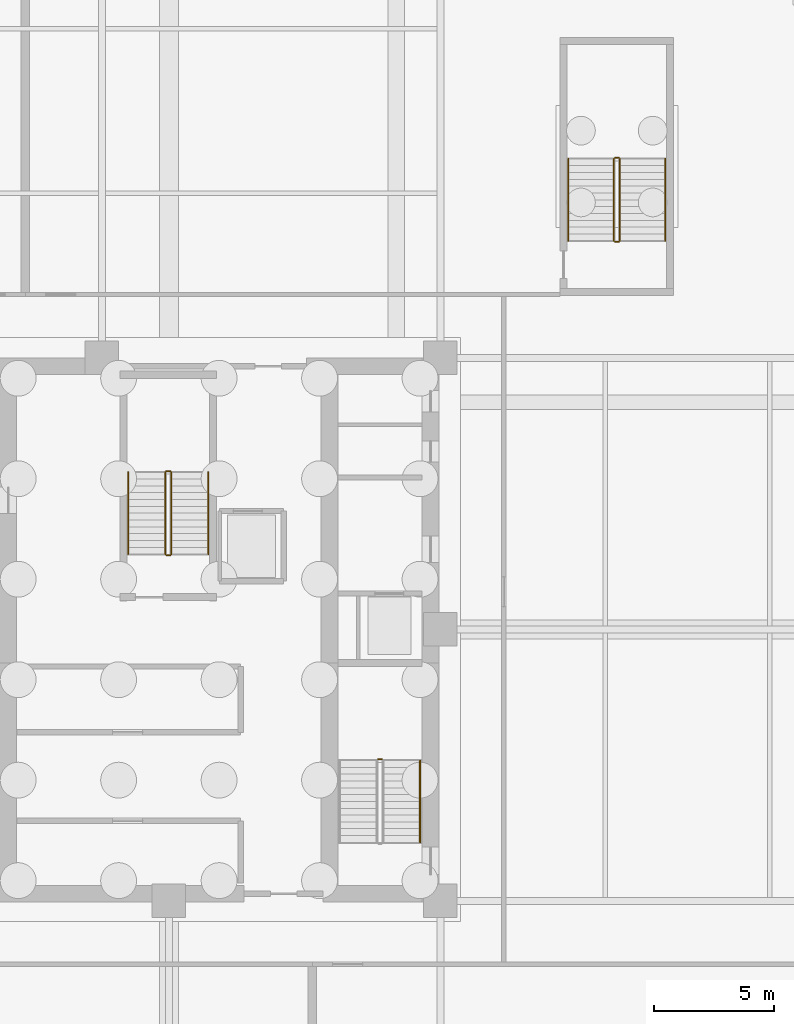
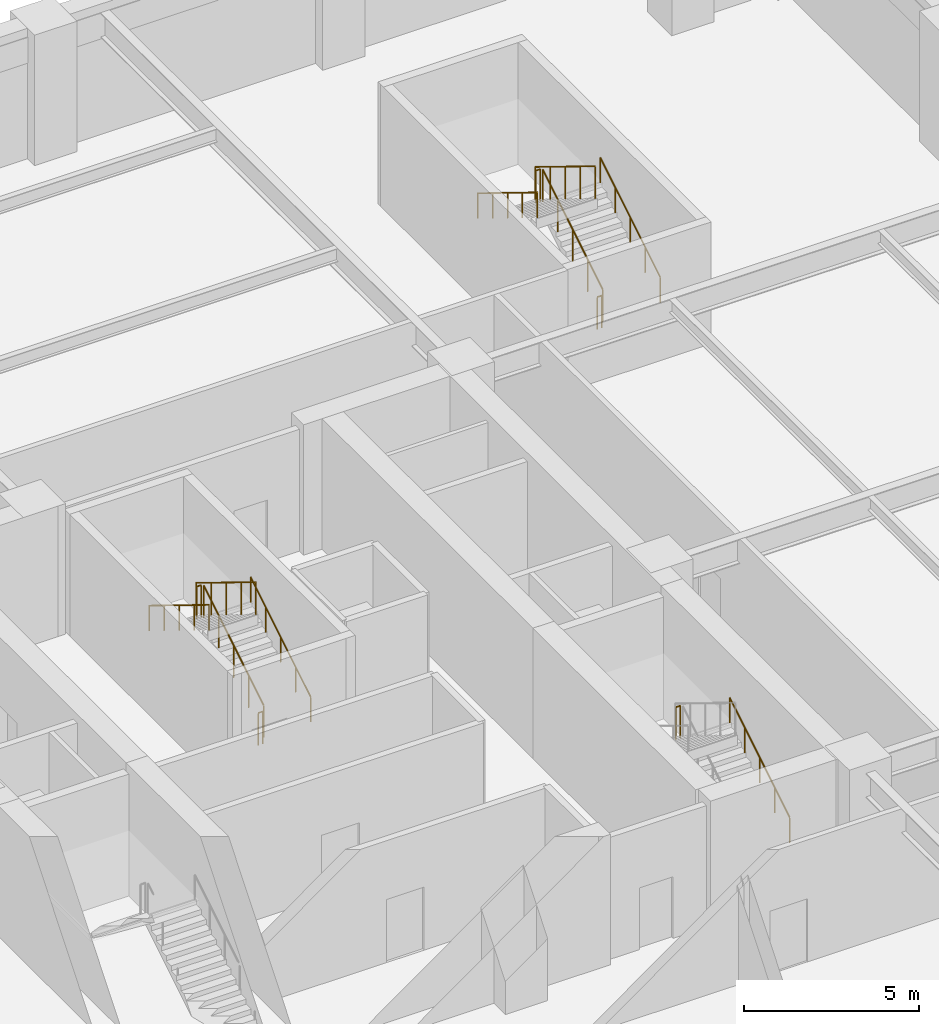
# One storey, part 7 of 8: 14 railings.
"""IFC4 building model written with IfcOpenShell, lengths in metres."""

from ifc_helpers import new_model, si_unit, direction, frame, origin, origin_2d, place, context, subcontext, project, spatial, circle, extrude, material, type_object, element, save


model = new_model("IFC4")

# Units and contexts
model_context = context("Model", 3, precision=1e-05, world=origin(), true_north=direction((0.0, 1.0)))
body_context = subcontext(model_context, "Body", "Model", "MODEL_VIEW")
ifc_project = project(units=[si_unit("LENGTHUNIT", "METRE"), si_unit("AREAUNIT", "SQUARE_METRE"), si_unit("VOLUMEUNIT", "CUBIC_METRE"), si_unit("PLANEANGLEUNIT", "RADIAN"), si_unit("MASSUNIT", "GRAM", prefix="KILO")], contexts=[model_context])

# Site, building, storey
site_placement = place(None, origin())
site = spatial("IfcSite", under=ifc_project, at=site_placement, CompositionType="ELEMENT")
building_placement = place(site_placement, origin())
building = spatial("IfcBuilding", under=site, at=building_placement, Name="Nhamokura Convention Tower", CompositionType="ELEMENT")
storey_placement = place(building_placement, frame((0.0, 0.0, -9.10009765625)))
storey = spatial("IfcBuildingStorey", under=building, at=storey_placement, Name="B02", CompositionType="ELEMENT", Elevation=-9.10009765625)

# Railings
ifc_material_1 = material(Name="Anodised bronze stainless steel", Category="steel")
railing_type_1 = type_object("IfcRailingType", Name="StairWallHandrail_900", PredefinedType="HANDRAIL", material=ifc_material_1)
railing_1_placement = place(storey_placement, frame((42.5, 23.10009765625, 0.175048828125)))
element("IfcRailing", 1, at=railing_1_placement, inside=storey, type_object=railing_type_1, Name="B02 ST-02 stair handrail 1", PredefinedType="HANDRAIL", context=body_context, shape_type="SweptSolid", body=[
    extrude(circle(Radius=0.02392578125, at=origin_2d()), frame((0.0, 0.0, 0.8759765625), z_axis=(0.0, 0.852155044755, 0.523289384279), x_axis=(-1.0, 0.0, 0.0)), (0.0, 0.0, 1.0), 4.01318359375),
    extrude(circle(Radius=0.02099609375, at=origin_2d()), origin(), (0.0, 0.0, 1.0), 0.851806640625),
    extrude(circle(Radius=0.02099609375, at=origin_2d()), frame((0.0, 0.85498046875, 0.52490234375)), (0.0, 0.0, 1.0), 0.851806640625),
    extrude(circle(Radius=0.02099609375, at=origin_2d()), frame((0.0, 1.7099609375, 1.050048828125)), (0.0, 0.0, 1.0), 0.851806640625),
    extrude(circle(Radius=0.02099609375, at=origin_2d()), frame((0.0, 2.56494140625, 1.5751953125)), (0.0, 0.0, 1.0), 0.851806640625),
    extrude(circle(Radius=0.02099609375, at=origin_2d()), frame((0.0, 3.419921875, 2.10009765625)), (0.0, 0.0, 1.0), 0.851806640625),
])
railing_2_placement = place(storey_placement, frame((33.64990234375, 35.14990234375, 0.175048828125)))
element("IfcRailing", 2, at=railing_2_placement, inside=storey, type_object=railing_type_1, Name="B02 ST-03 stair handrail 1", PredefinedType="HANDRAIL", context=body_context, shape_type="SweptSolid", body=[
    extrude(circle(Radius=0.02392578125, at=origin_2d()), frame((0.0, 0.0, 0.8759765625), z_axis=(0.0, 0.852171701593, 0.523262258341), x_axis=(-1.0, 0.0, 0.0)), (0.0, 0.0, 1.0), 4.013427734375),
    extrude(circle(Radius=0.02099609375, at=origin_2d()), origin(), (0.0, 0.0, 1.0), 0.851806640625),
    extrude(circle(Radius=0.02099609375, at=origin_2d()), frame((0.0, 0.85498046875, 0.52490234375)), (0.0, 0.0, 1.0), 0.851806640625),
    extrude(circle(Radius=0.02099609375, at=origin_2d()), frame((0.0, 1.7099609375, 1.050048828125)), (0.0, 0.0, 1.0), 0.851806640625),
    extrude(circle(Radius=0.02099609375, at=origin_2d()), frame((0.0, 2.565185546875, 1.5751953125)), (0.0, 0.0, 1.0), 0.851806640625),
    extrude(circle(Radius=0.02099609375, at=origin_2d()), frame((0.0, 3.420166015625, 2.10009765625)), (0.0, 0.0, 1.0), 0.851806640625),
])
railing_3_placement = place(storey_placement, frame((30.300048828125, 38.570068359375, 2.4501953125)))
element("IfcRailing", 3, at=railing_3_placement, inside=storey, type_object=railing_type_1, Name="B02 ST-03 stair handrail 2", PredefinedType="HANDRAIL", context=body_context, shape_type="SweptSolid", body=[
    extrude(circle(Radius=0.02392578125, at=origin_2d()), frame((0.0, 0.0, 0.8759765625), z_axis=(0.0, -0.852198826108, 0.523218081473), x_axis=(1.0, 0.0, 0.0)), (0.0, 0.0, 1.0), 4.013427734375),
    extrude(circle(Radius=0.02099609375, at=origin_2d()), origin(), (0.0, 0.0, 1.0), 0.851806640625),
    extrude(circle(Radius=0.02099609375, at=origin_2d()), frame((0.0, -0.85498046875, 0.52490234375)), (0.0, 0.0, 1.0), 0.851806640625),
    extrude(circle(Radius=0.02099609375, at=origin_2d()), frame((0.0, -1.7099609375, 1.0498046875)), (0.0, 0.0, 1.0), 0.851806640625),
    extrude(circle(Radius=0.02099609375, at=origin_2d()), frame((0.0, -2.565185546875, 1.574951171875)), (0.0, 0.0, 1.0), 0.851806640625),
    extrude(circle(Radius=0.02099609375, at=origin_2d()), frame((0.0, -3.420166015625, 2.099853515625)), (0.0, 0.0, 1.0), 0.851806640625),
])
railing_4_placement = place(storey_placement, frame((52.75, 48.25, 0.175048828125)))
element("IfcRailing", 4, at=railing_4_placement, inside=storey, type_object=railing_type_1, Name="B02 ST-05 stair handrail 1", PredefinedType="HANDRAIL", context=body_context, shape_type="SweptSolid", body=[
    extrude(circle(Radius=0.02392578125, at=origin_2d()), frame((0.0, 0.0, 0.8759765625), z_axis=(0.0, 0.852155044755, 0.523289384279), x_axis=(-1.0, 0.0, 0.0)), (0.0, 0.0, 1.0), 4.01318359375),
    extrude(circle(Radius=0.02099609375, at=origin_2d()), origin(), (0.0, 0.0, 1.0), 0.851806640625),
    extrude(circle(Radius=0.02099609375, at=origin_2d()), frame((0.0, 0.85498046875, 0.52490234375)), (0.0, 0.0, 1.0), 0.851806640625),
    extrude(circle(Radius=0.02099609375, at=origin_2d()), frame((0.0, 1.7099609375, 1.050048828125)), (0.0, 0.0, 1.0), 0.851806640625),
    extrude(circle(Radius=0.02099609375, at=origin_2d()), frame((0.0, 2.56494140625, 1.5751953125)), (0.0, 0.0, 1.0), 0.851806640625),
    extrude(circle(Radius=0.02099609375, at=origin_2d()), frame((0.0, 3.419921875, 2.10009765625)), (0.0, 0.0, 1.0), 0.851806640625),
])
railing_5_placement = place(storey_placement, frame((48.699951171875, 51.669921875, 2.4501953125)))
element("IfcRailing", 5, at=railing_5_placement, inside=storey, type_object=railing_type_1, Name="B02 ST-05 stair handrail 2", PredefinedType="HANDRAIL", context=body_context, shape_type="SweptSolid", body=[
    extrude(circle(Radius=0.02392578125, at=origin_2d()), frame((0.0, 0.0, 0.8759765625), z_axis=(0.0, -0.852182171552, 0.523245206847), x_axis=(1.0, 0.0, 0.0)), (0.0, 0.0, 1.0), 4.01318359375),
    extrude(circle(Radius=0.02099609375, at=origin_2d()), origin(), (0.0, 0.0, 1.0), 0.851806640625),
    extrude(circle(Radius=0.02099609375, at=origin_2d()), frame((0.0, -0.85498046875, 0.52490234375)), (0.0, 0.0, 1.0), 0.851806640625),
    extrude(circle(Radius=0.02099609375, at=origin_2d()), frame((0.0, -1.7099609375, 1.0498046875)), (0.0, 0.0, 1.0), 0.851806640625),
    extrude(circle(Radius=0.02099609375, at=origin_2d()), frame((0.0, -2.56494140625, 1.574951171875)), (0.0, 0.0, 1.0), 0.851806640625),
    extrude(circle(Radius=0.02099609375, at=origin_2d()), frame((0.0, -3.419921875, 2.099853515625)), (0.0, 0.0, 1.0), 0.851806640625),
])
ifc_material_2 = material(Name="Painted tubular steel", Category="steel")
railing_type_2 = type_object("IfcRailingType", Name="StairWellGuardrail_1150", PredefinedType="GUARDRAIL", material=ifc_material_2)
railing_6_placement = place(storey_placement, frame((40.89990234375, 26.570068359375, 2.275146484375)))
element("IfcRailing", 6, at=railing_6_placement, inside=storey, type_object=railing_type_2, Name="B02 ST-02 stair guard 2", PredefinedType="GUARDRAIL", context=body_context, shape_type="SweptSolid", body=[
    extrude(circle(Radius=0.02392578125, at=origin_2d()), frame((0.0, 0.0, 1.1259765625), z_axis=(-1.0, 0.0, 0.0), x_axis=(0.0, -1.0, 0.0)), (0.0, 0.0, 1.0), 0.14990234375),
    extrude(circle(Radius=0.02099609375, at=origin_2d()), origin(), (0.0, 0.0, 1.0), 1.101806640625),
    extrude(circle(Radius=0.02099609375, at=origin_2d()), frame((-0.14990234375, 0.0, 0.0)), (0.0, 0.0, 1.0), 1.101806640625),
])
railing_7_placement = place(storey_placement, frame((32.10009765625, 35.14990234375, 0.175048828125)))
element("IfcRailing", 7, at=railing_7_placement, inside=storey, type_object=railing_type_2, Name="B02 ST-03 stair guard 1", PredefinedType="GUARDRAIL", context=body_context, shape_type="SweptSolid", body=[
    extrude(circle(Radius=0.02392578125, at=origin_2d()), frame((0.0, 0.0, 1.1259765625), z_axis=(0.0, 0.852171701593, 0.523262258341), x_axis=(-1.0, 0.0, 0.0)), (0.0, 0.0, 1.0), 4.013427734375),
    extrude(circle(Radius=0.02099609375, at=origin_2d()), origin(), (0.0, 0.0, 1.0), 1.101806640625),
    extrude(circle(Radius=0.02099609375, at=origin_2d()), frame((0.0, 0.85498046875, 0.52490234375)), (0.0, 0.0, 1.0), 1.101806640625),
    extrude(circle(Radius=0.02099609375, at=origin_2d()), frame((0.0, 1.7099609375, 1.050048828125)), (0.0, 0.0, 1.0), 1.101806640625),
    extrude(circle(Radius=0.02099609375, at=origin_2d()), frame((0.0, 2.565185546875, 1.5751953125)), (0.0, 0.0, 1.0), 1.101806640625),
    extrude(circle(Radius=0.02099609375, at=origin_2d()), frame((0.0, 3.420166015625, 2.10009765625)), (0.0, 0.0, 1.0), 1.101806640625),
])
railing_8_placement = place(storey_placement, frame((32.050048828125, 38.6201171875, 2.275146484375)))
element("IfcRailing", 8, at=railing_8_placement, inside=storey, type_object=railing_type_2, Name="B02 ST-03 stair guard 2", PredefinedType="GUARDRAIL", context=body_context, shape_type="SweptSolid", body=[
    extrude(circle(Radius=0.02392578125, at=origin_2d()), frame((0.0, 0.0, 1.1259765625), z_axis=(-1.0, 0.0, 0.0), x_axis=(0.0, -1.0, 0.0)), (0.0, 0.0, 1.0), 0.150146484375),
    extrude(circle(Radius=0.02099609375, at=origin_2d()), origin(), (0.0, 0.0, 1.0), 1.101806640625),
    extrude(circle(Radius=0.02099609375, at=origin_2d()), frame((-0.150146484375, 0.0, 0.0)), (0.0, 0.0, 1.0), 1.101806640625),
])
railing_9_placement = place(storey_placement, frame((31.85009765625, 38.570068359375, 2.4501953125)))
element("IfcRailing", 9, at=railing_9_placement, inside=storey, type_object=railing_type_2, Name="B02 ST-03 stair guard 3", PredefinedType="GUARDRAIL", context=body_context, shape_type="SweptSolid", body=[
    extrude(circle(Radius=0.02392578125, at=origin_2d()), frame((0.0, 0.0, 1.1259765625), z_axis=(0.0, -0.852198826108, 0.523218081473), x_axis=(1.0, 0.0, 0.0)), (0.0, 0.0, 1.0), 4.013427734375),
    extrude(circle(Radius=0.02099609375, at=origin_2d()), origin(), (0.0, 0.0, 1.0), 1.101806640625),
    extrude(circle(Radius=0.02099609375, at=origin_2d()), frame((0.0, -0.85498046875, 0.52490234375)), (0.0, 0.0, 1.0), 1.101806640625),
    extrude(circle(Radius=0.02099609375, at=origin_2d()), frame((0.0, -1.7099609375, 1.0498046875)), (0.0, 0.0, 1.0), 1.101806640625),
    extrude(circle(Radius=0.02099609375, at=origin_2d()), frame((0.0, -2.565185546875, 1.574951171875)), (0.0, 0.0, 1.0), 1.101806640625),
    extrude(circle(Radius=0.02099609375, at=origin_2d()), frame((0.0, -3.420166015625, 2.099853515625)), (0.0, 0.0, 1.0), 1.101806640625),
])
railing_10_placement = place(storey_placement, frame((32.050048828125, 35.10009765625, 0.0)))
element("IfcRailing", 10, at=railing_10_placement, inside=storey, type_object=railing_type_2, Name="B02 ST-03 stair guard 4", PredefinedType="GUARDRAIL", context=body_context, shape_type="SweptSolid", body=[
    extrude(circle(Radius=0.02392578125, at=origin_2d()), frame((0.0, 0.0, 1.1259765625), z_axis=(-1.0, 0.0, 0.0), x_axis=(0.0, -1.0, 0.0)), (0.0, 0.0, 1.0), 0.150146484375),
    extrude(circle(Radius=0.02099609375, at=origin_2d()), origin(), (0.0, 0.0, 1.0), 1.101806640625),
    extrude(circle(Radius=0.02099609375, at=origin_2d()), frame((-0.150146484375, 0.0, 0.0)), (0.0, 0.0, 1.0), 1.101806640625),
])
railing_11_placement = place(storey_placement, frame((50.85009765625, 48.25, 0.175048828125)))
element("IfcRailing", 11, at=railing_11_placement, inside=storey, type_object=railing_type_2, Name="B02 ST-05 stair guard 1", PredefinedType="GUARDRAIL", context=body_context, shape_type="SweptSolid", body=[
    extrude(circle(Radius=0.02392578125, at=origin_2d()), frame((0.0, 0.0, 1.1259765625), z_axis=(0.0, 0.852155044755, 0.523289384279), x_axis=(-1.0, 0.0, 0.0)), (0.0, 0.0, 1.0), 4.01318359375),
    extrude(circle(Radius=0.02099609375, at=origin_2d()), origin(), (0.0, 0.0, 1.0), 1.101806640625),
    extrude(circle(Radius=0.02099609375, at=origin_2d()), frame((0.0, 0.85498046875, 0.52490234375)), (0.0, 0.0, 1.0), 1.101806640625),
    extrude(circle(Radius=0.02099609375, at=origin_2d()), frame((0.0, 1.7099609375, 1.050048828125)), (0.0, 0.0, 1.0), 1.101806640625),
    extrude(circle(Radius=0.02099609375, at=origin_2d()), frame((0.0, 2.56494140625, 1.5751953125)), (0.0, 0.0, 1.0), 1.101806640625),
    extrude(circle(Radius=0.02099609375, at=origin_2d()), frame((0.0, 3.419921875, 2.10009765625)), (0.0, 0.0, 1.0), 1.101806640625),
])
railing_12_placement = place(storey_placement, frame((50.800048828125, 51.719970703125, 2.275146484375)))
element("IfcRailing", 12, at=railing_12_placement, inside=storey, type_object=railing_type_2, Name="B02 ST-05 stair guard 2", PredefinedType="GUARDRAIL", context=body_context, shape_type="SweptSolid", body=[
    extrude(circle(Radius=0.02392578125, at=origin_2d()), frame((0.0, 0.0, 1.1259765625), z_axis=(-1.0, 0.0, 0.0), x_axis=(0.0, -1.0, 0.0)), (0.0, 0.0, 1.0), 0.150146484375),
    extrude(circle(Radius=0.02099609375, at=origin_2d()), origin(), (0.0, 0.0, 1.0), 1.101806640625),
    extrude(circle(Radius=0.02099609375, at=origin_2d()), frame((-0.150146484375, 0.0, 0.0)), (0.0, 0.0, 1.0), 1.101806640625),
])
railing_13_placement = place(storey_placement, frame((50.60009765625, 51.669921875, 2.4501953125)))
element("IfcRailing", 13, at=railing_13_placement, inside=storey, type_object=railing_type_2, Name="B02 ST-05 stair guard 3", PredefinedType="GUARDRAIL", context=body_context, shape_type="SweptSolid", body=[
    extrude(circle(Radius=0.02392578125, at=origin_2d()), frame((0.0, 0.0, 1.1259765625), z_axis=(0.0, -0.852182171552, 0.523245206847), x_axis=(1.0, 0.0, 0.0)), (0.0, 0.0, 1.0), 4.01318359375),
    extrude(circle(Radius=0.02099609375, at=origin_2d()), origin(), (0.0, 0.0, 1.0), 1.101806640625),
    extrude(circle(Radius=0.02099609375, at=origin_2d()), frame((0.0, -0.85498046875, 0.52490234375)), (0.0, 0.0, 1.0), 1.101806640625),
    extrude(circle(Radius=0.02099609375, at=origin_2d()), frame((0.0, -1.7099609375, 1.0498046875)), (0.0, 0.0, 1.0), 1.101806640625),
    extrude(circle(Radius=0.02099609375, at=origin_2d()), frame((0.0, -2.56494140625, 1.574951171875)), (0.0, 0.0, 1.0), 1.101806640625),
    extrude(circle(Radius=0.02099609375, at=origin_2d()), frame((0.0, -3.419921875, 2.099853515625)), (0.0, 0.0, 1.0), 1.101806640625),
])
railing_14_placement = place(storey_placement, frame((50.800048828125, 48.199951171875, 0.0)))
element("IfcRailing", 14, at=railing_14_placement, inside=storey, type_object=railing_type_2, Name="B02 ST-05 stair guard 4", PredefinedType="GUARDRAIL", context=body_context, shape_type="SweptSolid", body=[
    extrude(circle(Radius=0.02392578125, at=origin_2d()), frame((0.0, 0.0, 1.1259765625), z_axis=(-1.0, 0.0, 0.0), x_axis=(0.0, -1.0, 0.0)), (0.0, 0.0, 1.0), 0.150146484375),
    extrude(circle(Radius=0.02099609375, at=origin_2d()), origin(), (0.0, 0.0, 1.0), 1.101806640625),
    extrude(circle(Radius=0.02099609375, at=origin_2d()), frame((-0.150146484375, 0.0, 0.0)), (0.0, 0.0, 1.0), 1.101806640625),
])

save(model, "model.ifc")
